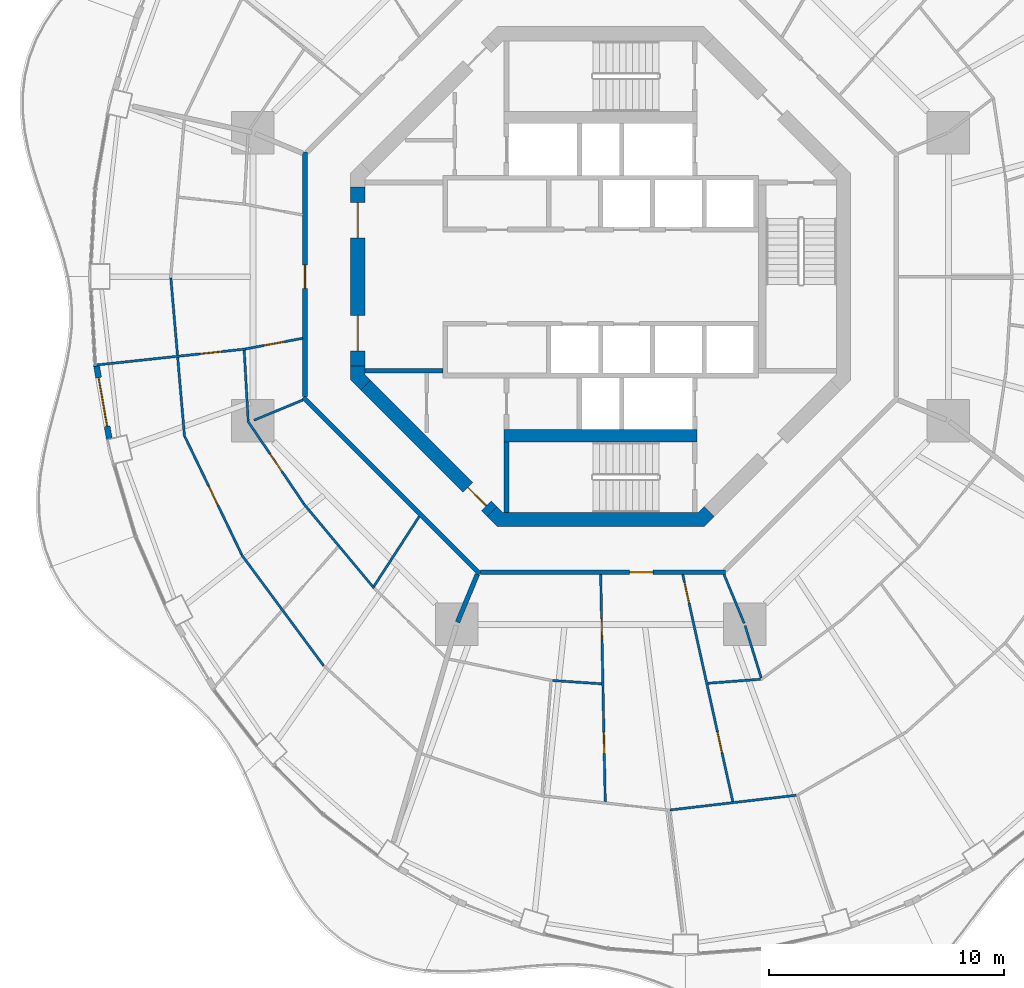
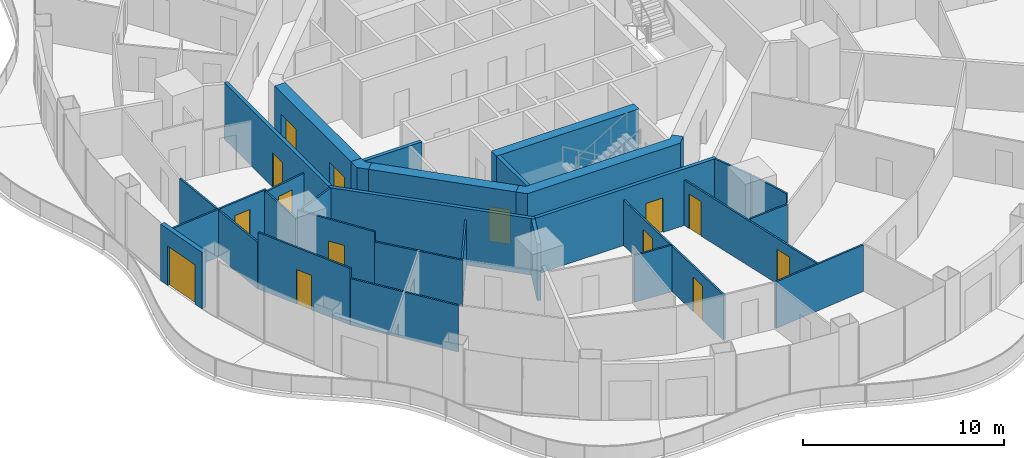
# One storey, part 11 of 19: 29 walls, 14 doors, 14 openings.
"""IFC4 building model written with IfcOpenShell, lengths in metres."""

from ifc_helpers import new_model, si_unit, direction, frame, frame_2d, origin, place, context, subcontext, project, spatial, polyline, rectangle, outline, extrude, material, layer, layer_set, type_object, element, fill, save


model = new_model("IFC4")

# Units and contexts
model_context = context("Model", 3, precision=1e-05, world=origin(), true_north=direction((0.0, 1.0)))
body_context = subcontext(model_context, "Body", "Model", "MODEL_VIEW")
ifc_project = project(units=[si_unit("LENGTHUNIT", "METRE"), si_unit("AREAUNIT", "SQUARE_METRE"), si_unit("VOLUMEUNIT", "CUBIC_METRE"), si_unit("PLANEANGLEUNIT", "RADIAN"), si_unit("MASSUNIT", "GRAM", prefix="KILO")], contexts=[model_context])

# Site, building, storey
site_placement = place(None, origin())
site = spatial("IfcSite", under=ifc_project, at=site_placement, CompositionType="ELEMENT")
building_placement = place(site_placement, origin())
building = spatial("IfcBuilding", under=site, at=building_placement, Name="Nagisa Residences", CompositionType="ELEMENT")
storey_placement = place(building_placement, frame((0.0, 0.0, 184.39990234375)))
storey = spatial("IfcBuildingStorey", under=building, at=storey_placement, Name="L46", CompositionType="ELEMENT", Elevation=184.39990234375)

# Wall
ifc_material_1 = material(Name="Gypsum board on steel studs", Category="steel")
ifc_layer_1 = layer(ifc_material_1, 0.199951171875)
ifc_layer_set_1 = layer_set([ifc_layer_1], Name="Apartment compartment wall EI60 200")
wall_type_1 = type_object("IfcWallType", Name="Apartment compartment wall EI60 200", PredefinedType="PARTITIONING", material=ifc_layer_set_1)
wall_1_placement = place(storey_placement, frame((-5.24267578125, -12.6572265625, 0.0), z_axis=(0.0, 0.0, 1.0), x_axis=(-0.382707856524, -0.923869415315, 0.0)))
element("IfcWall", 1, at=wall_1_placement, inside=storey, type_object=wall_type_1, Name="wall:L46:u06", PredefinedType="PARTITIONING", context=body_context, shape_type="SweptSolid", body=[
    extrude(rectangle(XDim=2.2001953125, YDim=0.199951171875, at=frame_2d((1.10009765625, 0.0))), origin(), (0.0, 0.0, 1.0), 3.440185546875),
])

# Wall, opening, door
ifc_material_2 = material(Name="Gypsum board on steel studs", Category="steel")
ifc_layer_2 = layer(ifc_material_2, 0.199951171875)
ifc_layer_set_2 = layer_set([ifc_layer_2], Name="Apartment entry wall EI60 200")
wall_type_2 = type_object("IfcWallType", Name="Apartment entry wall EI60 200", PredefinedType="PARTITIONING", material=ifc_layer_set_2)
wall_2_placement = place(storey_placement, frame((-12.564697265625, 5.304443359375, 0.0), z_axis=(0.0, 0.0, 1.0), x_axis=(0.0, -1.0, 0.0)))
wall_2 = element("IfcWall", 2, at=wall_2_placement, inside=storey, type_object=wall_type_2, Name="wall:L46:u14", PredefinedType="PARTITIONING", context=body_context, shape_type="SweptSolid", body=[
    extrude(rectangle(XDim=10.408935546875, YDim=0.199951171875, at=frame_2d((5.20458984375, 0.0))), origin(), (0.0, 0.0, 1.0), 3.440185546875),
])
opening_1_placement = place(wall_2_placement, frame((4.804443359375, 0.0, 0.0)))
opening_1 = element("IfcOpeningElement", 3, at=opening_1_placement, cuts=wall_2, Name="Opening L46-U09", PredefinedType="OPENING", context=body_context, shape_type="SweptSolid", body=[
    extrude(rectangle(XDim=1.0, YDim=2.10009765625, at=frame_2d((0.5, 1.050048828125))), frame((0.0, 0.10986328125, 0.0), z_axis=(0.0, -1.0, 0.0), x_axis=(1.0, 0.0, 0.0)), (0.0, 0.0, 1.0), 0.219970703125),
])
ifc_material_3 = material(Name="Timber fire door set", Category="wood")
door_type_1 = type_object("IfcDoorType", Name="Apartment entry door FD30S 1000x2100", OperationType="NOTDEFINED", PredefinedType="DOOR", material=ifc_material_3)
door_1_placement = place(opening_1_placement, frame((1.0, 0.0, 0.0), x_axis=(-1.0, 0.0, 0.0)))
door_1 = element("IfcDoor", 4, at=door_1_placement, inside=storey, type_object=door_type_1, Name="Entry door, Apartment 46B", OperationType="SINGLE_SWING_RIGHT", OverallHeight=2.10009765625, OverallWidth=1.0, PredefinedType="DOOR", context=body_context, shape_type="SweptSolid", body=[
    extrude(rectangle(XDim=1.0, YDim=2.10009765625, at=frame_2d((0.5, 1.050048828125))), frame((0.0, 0.02490234375, 0.0), z_axis=(0.0, -1.0, 0.0), x_axis=(1.0, 0.0, 0.0)), (0.0, 0.0, 1.0), 0.050048828125),
])
fill(opening_1, door_1)

# Wall
wall_3_placement = place(storey_placement, frame((-12.635498046875, -5.1337890625, 0.0), z_axis=(0.0, 0.0, 1.0), x_axis=(0.707106781187, -0.707106781187, 0.0)))
element("IfcWall", 5, at=wall_3_placement, inside=storey, type_object=wall_type_2, Name="wall:L46:u15", PredefinedType="PARTITIONING", context=body_context, shape_type="SweptSolid", body=[
    extrude(rectangle(XDim=10.609130859375, YDim=0.199951171875, at=frame_2d((5.3046875, 0.0))), origin(), (0.0, 0.0, 1.0), 3.440185546875),
])

# Wall, opening, door
wall_4_placement = place(storey_placement, frame((-5.1044921875, -12.564697265625, 0.0), z_axis=(0.0, 0.0, 1.0), x_axis=(1.0, 0.0, 0.0)))
wall_4 = element("IfcWall", 6, at=wall_4_placement, inside=storey, type_object=wall_type_2, Name="wall:L46:u16", PredefinedType="PARTITIONING", context=body_context, shape_type="SweptSolid", body=[
    extrude(rectangle(XDim=10.408935546875, YDim=0.199951171875, at=frame_2d((5.20458984375, 0.0))), origin(), (0.0, 0.0, 1.0), 3.440185546875),
])
opening_2_placement = place(wall_4_placement, frame((6.33935546875, 0.0, 0.0)))
opening_2 = element("IfcOpeningElement", 7, at=opening_2_placement, cuts=wall_4, Name="Opening L46-U20", PredefinedType="OPENING", context=body_context, shape_type="SweptSolid", body=[
    extrude(rectangle(XDim=1.0, YDim=2.10009765625, at=frame_2d((0.5, 1.050048828125))), frame((0.0, 0.10986328125, 0.0), z_axis=(0.0, -1.0, 0.0), x_axis=(1.0, 0.0, 0.0)), (0.0, 0.0, 1.0), 0.219970703125),
])
door_2_placement = place(opening_2_placement, frame((1.0, 0.0, 0.0), x_axis=(-1.0, 0.0, 0.0)))
door_2 = element("IfcDoor", 8, at=door_2_placement, inside=storey, type_object=door_type_1, Name="Entry door, Apartment 46C", OperationType="SINGLE_SWING_LEFT", OverallHeight=2.10009765625, OverallWidth=1.0, PredefinedType="DOOR", context=body_context, shape_type="SweptSolid", body=[
    extrude(rectangle(XDim=1.0, YDim=2.10009765625, at=frame_2d((0.5, 1.050048828125))), frame((0.0, 0.02490234375, 0.0), z_axis=(0.0, -1.0, 0.0), x_axis=(1.0, 0.0, 0.0)), (0.0, 0.0, 1.0), 0.050048828125),
])
fill(opening_2, door_2)

# Wall
ifc_material_4 = material(Name="Gypsum board on steel studs", Category="steel")
ifc_layer_3 = layer(ifc_material_4, 0.10009765625)
ifc_layer_set_3 = layer_set([ifc_layer_3], Name="Apartment partition 100")
wall_type_3 = type_object("IfcWallType", Name="Apartment partition 100", PredefinedType="PARTITIONING", material=ifc_layer_set_3)
wall_5_placement = place(storey_placement, frame((-18.270751953125, -0.0498046875, 0.0), z_axis=(0.0, 0.0, 1.0), x_axis=(0.086018199227, -0.996293565874, 0.0)))
element("IfcWall", 9, at=wall_5_placement, inside=storey, type_object=wall_type_3, Name="wall:L46:u59", PredefinedType="PARTITIONING", context=body_context, shape_type="SweptSolid", body=[
    extrude(rectangle(XDim=6.7890625, YDim=0.10009765625, at=frame_2d((3.39453125, 0.0))), origin(), (0.0, 0.0, 1.0), 2.837158203125),
])

# Wall, opening, door
wall_6_placement = place(storey_placement, frame((-12.6630859375, -2.62060546875, 0.0), z_axis=(0.0, 0.0, 1.0), x_axis=(-0.983176884312, -0.182655999505, 0.0)))
wall_6 = element("IfcWall", 10, at=wall_6_placement, inside=storey, type_object=wall_type_3, Name="wall:L46:u60", PredefinedType="PARTITIONING", context=body_context, shape_type="SweptSolid", body=[
    extrude(rectangle(XDim=2.4833984375, YDim=0.10009765625, at=frame_2d((1.24169921875, 0.0))), origin(), (0.0, 0.0, 1.0), 2.756103515625),
])
opening_3_placement = place(wall_6_placement, frame((0.791748046875, 0.0, 0.0)))
opening_3 = element("IfcOpeningElement", 11, at=opening_3_placement, cuts=wall_6, Name="Opening L46-U11", PredefinedType="OPENING", context=body_context, shape_type="SweptSolid", body=[
    extrude(rectangle(XDim=0.89990234375, YDim=2.10009765625, at=frame_2d((0.449951171875, 1.050048828125))), frame((0.0, 0.06005859375, 0.0), z_axis=(0.0, -1.0, 0.0), x_axis=(1.0, 0.0, 0.0)), (0.0, 0.0, 1.0), 0.1201171875),
])
ifc_material_5 = material(Name="Timber door set", Category="wood")
door_type_2 = type_object("IfcDoorType", Name="Apartment door 900x2100", OperationType="NOTDEFINED", PredefinedType="DOOR", material=ifc_material_5)
door_3_placement = place(opening_3_placement, origin())
door_3 = element("IfcDoor", 12, at=door_3_placement, inside=storey, type_object=door_type_2, Name="Door to family bathroom, Apartment 46B", OperationType="SINGLE_SWING_LEFT", OverallHeight=2.10009765625, OverallWidth=0.89990234375, PredefinedType="DOOR", context=body_context, shape_type="SweptSolid", body=[
    extrude(rectangle(XDim=0.89990234375, YDim=2.10009765625, at=frame_2d((0.449951171875, 1.050048828125))), frame((0.0, 0.02490234375, 0.0), z_axis=(0.0, -1.0, 0.0), x_axis=(1.0, 0.0, 0.0)), (0.0, 0.0, 1.0), 0.050048828125),
])
fill(opening_3, door_3)

wall_7_placement = place(storey_placement, frame((-15.104248046875, -3.077880859375, 0.0), z_axis=(0.0, 0.0, 1.0), x_axis=(-0.994316167803, -0.106467640365, 0.0)))
wall_7 = element("IfcWall", 13, at=wall_7_placement, inside=storey, type_object=wall_type_3, Name="wall:L46:u61", PredefinedType="PARTITIONING", context=body_context, shape_type="SweptSolid", body=[
    extrude(rectangle(XDim=6.450439453125, YDim=0.10009765625, at=frame_2d((3.22509765625, 0.0))), origin(), (0.0, 0.0, 1.0), 2.905029296875),
])
opening_4_placement = place(wall_7_placement, frame((1.0224609375, 0.0, 0.0)))
opening_4 = element("IfcOpeningElement", 14, at=opening_4_placement, cuts=wall_7, Name="Opening L46-U13", PredefinedType="OPENING", context=body_context, shape_type="SweptSolid", body=[
    extrude(rectangle(XDim=0.89990234375, YDim=2.10009765625, at=frame_2d((0.449951171875, 1.050048828125))), frame((0.0, 0.06005859375, 0.0), z_axis=(0.0, -1.0, 0.0), x_axis=(1.0, 0.0, 0.0)), (0.0, 0.0, 1.0), 0.1201171875),
])
door_4_placement = place(opening_4_placement, origin())
door_4 = element("IfcDoor", 15, at=door_4_placement, inside=storey, type_object=door_type_2, Name="Door to kitchen, Apartment 46B", OperationType="SINGLE_SWING_LEFT", OverallHeight=2.10009765625, OverallWidth=0.89990234375, PredefinedType="DOOR", context=body_context, shape_type="SweptSolid", body=[
    extrude(rectangle(XDim=0.89990234375, YDim=2.10009765625, at=frame_2d((0.449951171875, 1.050048828125))), frame((0.0, 0.02490234375, 0.0), z_axis=(0.0, -1.0, 0.0), x_axis=(1.0, 0.0, 0.0)), (0.0, 0.0, 1.0), 0.050048828125),
])
fill(opening_4, door_4)

# Walls
wall_8_placement = place(storey_placement, frame((-15.151123046875, -3.13330078125, 0.0), z_axis=(0.0, 0.0, 1.0), x_axis=(0.05637501378, -0.998409664327, 0.0)))
element("IfcWall", 16, at=wall_8_placement, inside=storey, type_object=wall_type_3, Name="wall:L46:u62", PredefinedType="PARTITIONING", context=body_context, shape_type="SweptSolid", body=[
    extrude(rectangle(XDim=2.988037109375, YDim=0.10009765625, at=frame_2d((1.494140625, 0.0))), origin(), (0.0, 0.0, 1.0), 2.837158203125),
])
wall_9_placement = place(storey_placement, frame((-12.6572265625, -5.24267578125, 0.0), z_axis=(0.0, 0.0, 1.0), x_axis=(-0.923864733477, -0.382719158442, 0.0)))
element("IfcWall", 17, at=wall_9_placement, inside=storey, type_object=wall_type_3, Name="wall:L46:u63", PredefinedType="PARTITIONING", context=body_context, shape_type="SweptSolid", body=[
    extrude(rectangle(XDim=2.25, YDim=0.10009765625, at=frame_2d((1.125, 0.0))), origin(), (0.0, 0.0, 1.0), 3.440185546875),
])

# Wall, opening, door
wall_10_placement = place(storey_placement, frame((-15.008056640625, -6.125244140625, 0.0), z_axis=(0.0, 0.0, 1.0), x_axis=(0.561073758086, -0.827765811076, 0.0)))
wall_10 = element("IfcWall", 18, at=wall_10_placement, inside=storey, type_object=wall_type_3, Name="wall:L46:u64", PredefinedType="PARTITIONING", context=body_context, shape_type="SweptSolid", body=[
    extrude(rectangle(XDim=4.258544921875, YDim=0.10009765625, at=frame_2d((2.12939453125, 0.0))), origin(), (0.0, 0.0, 1.0), 3.440185546875),
])
opening_5_placement = place(wall_10_placement, frame((1.704345703125, 0.0, 0.0)))
opening_5 = element("IfcOpeningElement", 19, at=opening_5_placement, cuts=wall_10, Name="Opening L46-U18", PredefinedType="OPENING", context=body_context, shape_type="SweptSolid", body=[
    extrude(rectangle(XDim=0.89990234375, YDim=2.10009765625, at=frame_2d((0.449951171875, 1.050048828125))), frame((0.0, 0.06005859375, 0.0), z_axis=(0.0, -1.0, 0.0), x_axis=(1.0, 0.0, 0.0)), (0.0, 0.0, 1.0), 0.1201171875),
])
door_5_placement = place(opening_5_placement, origin())
door_5 = element("IfcDoor", 20, at=door_5_placement, inside=storey, type_object=door_type_2, Name="Door to store, Apartment 46B", OperationType="SINGLE_SWING_RIGHT", OverallHeight=2.10009765625, OverallWidth=0.89990234375, PredefinedType="DOOR", context=body_context, shape_type="SweptSolid", body=[
    extrude(rectangle(XDim=0.89990234375, YDim=2.10009765625, at=frame_2d((0.449951171875, 1.050048828125))), frame((0.0, 0.02490234375, 0.0), z_axis=(0.0, -1.0, 0.0), x_axis=(1.0, 0.0, 0.0)), (0.0, 0.0, 1.0), 0.050048828125),
])
fill(opening_5, door_5)

wall_11_placement = place(storey_placement, frame((-17.669189453125, -6.80908203125, 0.0), z_axis=(0.0, 0.0, 1.0), x_axis=(0.434040130629, -0.900893536997, 0.0)))
wall_11 = element("IfcWall", 21, at=wall_11_placement, inside=storey, type_object=wall_type_3, Name="wall:L46:u65", PredefinedType="PARTITIONING", context=body_context, shape_type="SweptSolid", body=[
    extrude(rectangle(XDim=5.557861328125, YDim=0.10009765625, at=frame_2d((2.77880859375, 0.0))), origin(), (0.0, 0.0, 1.0), 3.440185546875),
])
opening_6_placement = place(wall_11_placement, frame((2.3291015625, 0.0, 0.0)))
opening_6 = element("IfcOpeningElement", 22, at=opening_6_placement, cuts=wall_11, Name="Opening L46-U16", PredefinedType="OPENING", context=body_context, shape_type="SweptSolid", body=[
    extrude(rectangle(XDim=0.89990234375, YDim=2.10009765625, at=frame_2d((0.449951171875, 1.050048828125))), frame((0.0, 0.06005859375, 0.0), z_axis=(0.0, -1.0, 0.0), x_axis=(1.0, 0.0, 0.0)), (0.0, 0.0, 1.0), 0.1201171875),
])
door_6_placement = place(opening_6_placement, frame((0.89990234375, 0.0, 0.0), x_axis=(-1.0, 0.0, 0.0)))
door_6 = element("IfcDoor", 23, at=door_6_placement, inside=storey, type_object=door_type_2, Name="Door to family room, Apartment 46B", OperationType="SINGLE_SWING_LEFT", OverallHeight=2.10009765625, OverallWidth=0.89990234375, PredefinedType="DOOR", context=body_context, shape_type="SweptSolid", body=[
    extrude(rectangle(XDim=0.89990234375, YDim=2.10009765625, at=frame_2d((0.449951171875, 1.050048828125))), frame((0.0, 0.02490234375, 0.0), z_axis=(0.0, -1.0, 0.0), x_axis=(1.0, 0.0, 0.0)), (0.0, 0.0, 1.0), 0.050048828125),
])
fill(opening_6, door_6)

# Walls
wall_12_placement = place(storey_placement, frame((-12.62255859375, -9.6533203125, 0.0), z_axis=(0.0, 0.0, 1.0), x_axis=(0.640297481347, -0.768127030758, 0.0)))
element("IfcWall", 24, at=wall_12_placement, inside=storey, type_object=wall_type_3, Name="wall:L46:u66", PredefinedType="PARTITIONING", context=body_context, shape_type="SweptSolid", body=[
    extrude(rectangle(XDim=4.671630859375, YDim=0.10009765625, at=frame_2d((2.3359375, 0.0))), origin(), (0.0, 0.0, 1.0), 2.837158203125),
])
wall_13_placement = place(storey_placement, frame((-15.264892578125, -11.821044921875, 0.0), z_axis=(0.0, 0.0, 1.0), x_axis=(0.594711348772, -0.803939308432, 0.0)))
element("IfcWall", 25, at=wall_13_placement, inside=storey, type_object=wall_type_3, Name="wall:L46:u67", PredefinedType="PARTITIONING", context=body_context, shape_type="SweptSolid", body=[
    extrude(rectangle(XDim=5.87158203125, YDim=0.10009765625, at=frame_2d((2.935791015625, 0.0))), origin(), (0.0, 0.0, 1.0), 2.837158203125),
])
wall_14_placement = place(storey_placement, frame((-7.71240234375, -10.1953125, 0.0), z_axis=(0.0, 0.0, 1.0), x_axis=(-0.544170086001, -0.838974920663, 0.0)))
element("IfcWall", 26, at=wall_14_placement, inside=storey, type_object=wall_type_3, Name="wall:L46:u69", PredefinedType="PARTITIONING", context=body_context, shape_type="SweptSolid", body=[
    extrude(rectangle(XDim=3.535400390625, YDim=0.10009765625, at=frame_2d((1.767578125, 0.0))), origin(), (0.0, 0.0, 1.0), 2.756103515625),
])
wall_15_placement = place(storey_placement, frame((-2.0546875, -17.166015625, 0.0), z_axis=(0.0, 0.0, 1.0), x_axis=(0.997756833447, -0.06694252243, 0.0)))
element("IfcWall", 27, at=wall_15_placement, inside=storey, type_object=wall_type_3, Name="wall:L46:u75", PredefinedType="PARTITIONING", context=body_context, shape_type="SweptSolid", body=[
    extrude(rectangle(XDim=2.104248046875, YDim=0.10009765625, at=frame_2d((1.05224609375, 0.0))), origin(), (0.0, 0.0, 1.0), 2.837158203125),
])

# Wall, openings, doors
wall_16_placement = place(storey_placement, frame((0.001953125, -12.664794921875, 0.0), z_axis=(0.0, 0.0, 1.0), x_axis=(0.019992969345, -0.999800120613, 0.0)))
wall_16 = element("IfcWall", 28, at=wall_16_placement, inside=storey, type_object=wall_type_3, Name="wall:L46:u77", PredefinedType="PARTITIONING", context=body_context, shape_type="SweptSolid", body=[
    extrude(rectangle(XDim=9.6591796875, YDim=0.10009765625, at=frame_2d((4.82958984375, 0.0))), origin(), (0.0, 0.0, 1.0), 2.756103515625),
])
opening_7_placement = place(wall_16_placement, frame((1.873291015625, 0.0, 0.0)))
opening_7 = element("IfcOpeningElement", 29, at=opening_7_placement, cuts=wall_16, Name="Opening L46-U21", PredefinedType="OPENING", context=body_context, shape_type="SweptSolid", body=[
    extrude(rectangle(XDim=0.89990234375, YDim=2.10009765625, at=frame_2d((0.449951171875, 1.050048828125))), frame((0.0, 0.06005859375, 0.0), z_axis=(0.0, -1.0, 0.0), x_axis=(1.0, 0.0, 0.0)), (0.0, 0.0, 1.0), 0.1201171875),
])
opening_8_placement = place(wall_16_placement, frame((6.702880859375, 0.0, 0.0)))
opening_8 = element("IfcOpeningElement", 30, at=opening_8_placement, cuts=wall_16, Name="Opening L46-U24", PredefinedType="OPENING", context=body_context, shape_type="SweptSolid", body=[
    extrude(rectangle(XDim=0.89990234375, YDim=2.10009765625, at=frame_2d((0.449951171875, 1.050048828125))), frame((0.0, 0.06005859375, 0.0), z_axis=(0.0, -1.0, 0.0), x_axis=(1.0, 0.0, 0.0)), (0.0, 0.0, 1.0), 0.1201171875),
])
door_7_placement = place(opening_7_placement, frame((0.89990234375, 0.0, 0.0), x_axis=(-1.0, 0.0, 0.0)))
door_7 = element("IfcDoor", 31, at=door_7_placement, inside=storey, type_object=door_type_2, Name="Door to laundry, Apartment 46C", OperationType="SINGLE_SWING_RIGHT", OverallHeight=2.10009765625, OverallWidth=0.89990234375, PredefinedType="DOOR", context=body_context, shape_type="SweptSolid", body=[
    extrude(rectangle(XDim=0.89990234375, YDim=2.10009765625, at=frame_2d((0.449951171875, 1.050048828125))), frame((0.0, 0.02490234375, 0.0), z_axis=(0.0, -1.0, 0.0), x_axis=(1.0, 0.0, 0.0)), (0.0, 0.0, 1.0), 0.050048828125),
])
fill(opening_7, door_7)
door_8_placement = place(opening_8_placement, frame((0.89990234375, 0.0, 0.0), x_axis=(-1.0, 0.0, 0.0)))
door_8 = element("IfcDoor", 32, at=door_8_placement, inside=storey, type_object=door_type_2, Name="Door to family bathroom, Apartment 46C", OperationType="SINGLE_SWING_LEFT", OverallHeight=2.10009765625, OverallWidth=0.89990234375, PredefinedType="DOOR", context=body_context, shape_type="SweptSolid", body=[
    extrude(rectangle(XDim=0.89990234375, YDim=2.10009765625, at=frame_2d((0.449951171875, 1.050048828125))), frame((0.0, 0.02490234375, 0.0), z_axis=(0.0, -1.0, 0.0), x_axis=(1.0, 0.0, 0.0)), (0.0, 0.0, 1.0), 0.050048828125),
])
fill(opening_8, door_8)

# Wall
wall_17_placement = place(storey_placement, frame((2.94091796875, -22.67138671875, 0.0), z_axis=(0.0, 0.0, 1.0), x_axis=(0.993245806382, 0.1160291692, 0.0)))
element("IfcWall", 33, at=wall_17_placement, inside=storey, type_object=wall_type_3, Name="wall:L46:u79", PredefinedType="PARTITIONING", context=body_context, shape_type="SweptSolid", body=[
    extrude(rectangle(XDim=5.40771484375, YDim=0.10009765625, at=frame_2d((2.703857421875, 0.0))), origin(), (0.0, 0.0, 1.0), 2.837158203125),
])

# Wall, openings, doors
wall_18_placement = place(storey_placement, frame((3.4912109375, -12.662353515625, 0.0), z_axis=(0.0, 0.0, 1.0), x_axis=(0.215082442833, -0.976595895335, 0.0)))
wall_18 = element("IfcWall", 34, at=wall_18_placement, inside=storey, type_object=wall_type_3, Name="wall:L46:u80", PredefinedType="PARTITIONING", context=body_context, shape_type="SweptSolid", body=[
    extrude(rectangle(XDim=9.877685546875, YDim=0.10009765625, at=frame_2d((4.93896484375, 0.0))), origin(), (0.0, 0.0, 1.0), 2.756103515625),
])
opening_9_placement = place(wall_18_placement, frame((0.35009765625, 0.0, 0.0)))
opening_9 = element("IfcOpeningElement", 35, at=opening_9_placement, cuts=wall_18, Name="Opening L46-U22", PredefinedType="OPENING", context=body_context, shape_type="SweptSolid", body=[
    extrude(rectangle(XDim=0.89990234375, YDim=2.10009765625, at=frame_2d((0.449951171875, 1.050048828125))), frame((0.0, 0.06005859375, 0.0), z_axis=(0.0, -1.0, 0.0), x_axis=(1.0, 0.0, 0.0)), (0.0, 0.0, 1.0), 0.1201171875),
])
opening_10_placement = place(wall_18_placement, frame((6.861083984375, 0.0, 0.0)))
opening_10 = element("IfcOpeningElement", 36, at=opening_10_placement, cuts=wall_18, Name="Opening L46-U25", PredefinedType="OPENING", context=body_context, shape_type="SweptSolid", body=[
    extrude(rectangle(XDim=0.89990234375, YDim=2.10009765625, at=frame_2d((0.449951171875, 1.050048828125))), frame((0.0, 0.06005859375, 0.0), z_axis=(0.0, -1.0, 0.0), x_axis=(1.0, 0.0, 0.0)), (0.0, 0.0, 1.0), 0.1201171875),
])
door_9_placement = place(opening_9_placement, origin())
door_9 = element("IfcDoor", 37, at=door_9_placement, inside=storey, type_object=door_type_2, Name="Door to family bathroom, Apartment 46C", OperationType="SINGLE_SWING_RIGHT", OverallHeight=2.10009765625, OverallWidth=0.89990234375, PredefinedType="DOOR", context=body_context, shape_type="SweptSolid", body=[
    extrude(rectangle(XDim=0.89990234375, YDim=2.10009765625, at=frame_2d((0.449951171875, 1.050048828125))), frame((0.0, 0.02490234375, 0.0), z_axis=(0.0, -1.0, 0.0), x_axis=(1.0, 0.0, 0.0)), (0.0, 0.0, 1.0), 0.050048828125),
])
fill(opening_9, door_9)
door_10_placement = place(opening_10_placement, origin())
door_10 = element("IfcDoor", 38, at=door_10_placement, inside=storey, type_object=door_type_2, Name="Door to family room, Apartment 46C", OperationType="SINGLE_SWING_LEFT", OverallHeight=2.10009765625, OverallWidth=0.89990234375, PredefinedType="DOOR", context=body_context, shape_type="SweptSolid", body=[
    extrude(rectangle(XDim=0.89990234375, YDim=2.10009765625, at=frame_2d((0.449951171875, 1.050048828125))), frame((0.0, 0.02490234375, 0.0), z_axis=(0.0, -1.0, 0.0), x_axis=(1.0, 0.0, 0.0)), (0.0, 0.0, 1.0), 0.050048828125),
])
fill(opening_10, door_10)

# Walls
wall_19_placement = place(storey_placement, frame((4.567626953125, -17.28369140625, 0.0), z_axis=(0.0, 0.0, 1.0), x_axis=(0.997076339393, 0.076411867029, 0.0)))
element("IfcWall", 39, at=wall_19_placement, inside=storey, type_object=wall_type_3, Name="wall:L46:u81", PredefinedType="PARTITIONING", context=body_context, shape_type="SweptSolid", body=[
    extrude(rectangle(XDim=2.230224609375, YDim=0.10009765625, at=frame_2d((1.115234375, 0.0))), origin(), (0.0, 0.0, 1.0), 2.837158203125),
])
wall_20_placement = place(storey_placement, frame((5.24267578125, -12.6572265625, 0.0), z_axis=(0.0, 0.0, 1.0), x_axis=(0.382719158442, -0.923864733477, 0.0)))
element("IfcWall", 40, at=wall_20_placement, inside=storey, type_object=wall_type_3, Name="wall:L46:u82", PredefinedType="PARTITIONING", context=body_context, shape_type="SweptSolid", body=[
    extrude(rectangle(XDim=2.25, YDim=0.10009765625, at=frame_2d((1.125, 0.0))), origin(), (0.0, 0.0, 1.0), 3.440185546875),
])
wall_21_placement = place(storey_placement, frame((6.1376953125, -14.829833984375, 0.0), z_axis=(0.0, 0.0, 1.0), x_axis=(0.29476151767, -0.955570849127, 0.0)))
element("IfcWall", 41, at=wall_21_placement, inside=storey, type_object=wall_type_3, Name="wall:L46:u83", PredefinedType="PARTITIONING", context=body_context, shape_type="SweptSolid", body=[
    extrude(rectangle(XDim=2.335693359375, YDim=0.10009765625, at=frame_2d((1.16796875, 0.0))), origin(), (0.0, 0.0, 1.0), 3.440185546875),
])

# Wall, opening, door
ifc_material_6 = material(Name="Precast concrete C40/50", Category="concrete")
ifc_layer_4 = layer(ifc_material_6, 0.25)
ifc_layer_set_4 = layer_set([ifc_layer_4], Name="BALCONY DOOR WALL 250")
wall_type_4 = type_object("IfcWallType", Name="BALCONY DOOR WALL 250", PredefinedType="SOLIDWALL", material=ifc_layer_set_4)
wall_22_placement = place(storey_placement, frame((-20.8818359375, -6.91015625, 0.0), z_axis=(0.0, 0.0, 1.0), x_axis=(-0.172223552479, 0.98505789067, 0.0)))
wall_22 = element("IfcWall", 42, at=wall_22_placement, inside=storey, type_object=wall_type_4, Name="wall:L46:bay25", PredefinedType="SOLIDWALL", context=body_context, shape_type="SweptSolid", body=[
    extrude(rectangle(XDim=3.2109375, YDim=0.25, at=frame_2d((1.60546875, 0.0))), origin(), (0.0, 0.0, 1.0), 3.440185546875),
])
opening_11_placement = place(wall_22_placement, frame((0.555419921875, 0.0, 0.0)))
opening_11 = element("IfcOpeningElement", 43, at=opening_11_placement, cuts=wall_22, Name="Opening BD-L46-09", PredefinedType="OPENING", context=body_context, shape_type="SweptSolid", body=[
    extrude(rectangle(XDim=2.10009765625, YDim=2.39990234375, at=frame_2d((1.050048828125, 1.199951171875))), frame((0.0, 0.135009765625, 0.0), z_axis=(0.0, -1.0, 0.0), x_axis=(1.0, 0.0, 0.0)), (0.0, 0.0, 1.0), 0.27001953125),
])
ifc_material_7 = material(Name="Aluminium and clear glass", Category="aluminium")
door_type_3 = type_object("IfcDoorType", Name="BALCONY SLIDING DOOR 2100x2400", OperationType="SLIDING_TO_LEFT", PredefinedType="DOOR", material=ifc_material_7)
door_11_placement = place(opening_11_placement, origin())
door_11 = element("IfcDoor", 44, at=door_11_placement, inside=storey, type_object=door_type_3, Name="door:L46:bay25", OperationType="SLIDING_TO_LEFT", OverallHeight=2.39990234375, OverallWidth=2.10009765625, PredefinedType="DOOR", context=body_context, shape_type="SweptSolid", body=[
    extrude(rectangle(XDim=2.10009765625, YDim=2.39990234375, at=frame_2d((1.050048828125, 1.199951171875))), frame((0.0, 0.02490234375, 0.0), z_axis=(0.0, -1.0, 0.0), x_axis=(1.0, 0.0, 0.0)), (0.0, 0.0, 1.0), 0.050048828125),
])
fill(opening_11, door_11)

# Wall
ifc_material_8 = material(Name="Gypsum board on steel studs", Category="steel")
ifc_layer_5 = layer(ifc_material_8, 0.199951171875)
ifc_layer_set_5 = layer_set([ifc_layer_5], Name="Core partition 200")
wall_type_5 = type_object("IfcWallType", Name="Core partition 200", PredefinedType="PARTITIONING", material=ifc_layer_set_5)
wall_23_placement = place(storey_placement, frame((-10.024658203125, -4.0, 0.0), z_axis=(0.0, 0.0, 1.0), x_axis=(1.0, 0.0, 0.0)))
element("IfcWall", 45, at=wall_23_placement, inside=storey, type_object=wall_type_5, Name="wall:L46:PSW", PredefinedType="PARTITIONING", context=body_context, shape_type="SweptSolid", body=[
    extrude(rectangle(XDim=3.32470703125, YDim=0.199951171875, at=frame_2d((1.662353515625, 0.0))), origin(), (0.0, 0.0, 1.0), 3.440185546875),
])

# Wall, openings, doors
ifc_material_9 = material(Name="Concrete C60", Category="concrete")
ifc_layer_6 = layer(ifc_material_9, 0.60009765625)
ifc_layer_set_6 = layer_set([ifc_layer_6], Name="Core shear wall 600")
wall_type_6 = type_object("IfcWallType", Name="Core shear wall 600", PredefinedType="SHEAR", material=ifc_layer_set_6)
wall_24_placement = place(storey_placement, frame((-10.32470703125, 3.80078125, 0.0), z_axis=(0.0, 0.0, 1.0), x_axis=(0.0, -1.0, 0.0)))
wall_24 = element("IfcWall", 46, at=wall_24_placement, inside=storey, type_object=wall_type_6, Name="wall:L46:core:flat4", PredefinedType="SHEAR", context=body_context, shape_type="SweptSolid", body=[
    extrude(rectangle(XDim=7.6015625, YDim=0.60009765625, at=frame_2d((3.80078125, 0.0))), origin(), (0.0, 0.0, 1.0), 3.440185546875),
])
opening_12_placement = place(wall_24_placement, frame((0.65087890625, 0.0, 0.0)))
opening_12 = element("IfcOpeningElement", 47, at=opening_12_placement, cuts=wall_24, Name="Opening L46-C20", PredefinedType="OPENING", context=body_context, shape_type="SweptSolid", body=[
    extrude(rectangle(XDim=1.5, YDim=2.10009765625, at=frame_2d((0.75, 1.050048828125))), frame((0.0, 0.31005859375, 0.0), z_axis=(0.0, -1.0, 0.0), x_axis=(1.0, 0.0, 0.0)), (0.0, 0.0, 1.0), 0.6201171875),
])
opening_13_placement = place(wall_24_placement, frame((5.450927734375, 0.0, 0.0)))
opening_13 = element("IfcOpeningElement", 48, at=opening_13_placement, cuts=wall_24, Name="Opening L46-C21", PredefinedType="OPENING", context=body_context, shape_type="SweptSolid", body=[
    extrude(rectangle(XDim=1.5, YDim=2.10009765625, at=frame_2d((0.75, 1.050048828125))), frame((0.0, 0.31005859375, 0.0), z_axis=(0.0, -1.0, 0.0), x_axis=(1.0, 0.0, 0.0)), (0.0, 0.0, 1.0), 0.6201171875),
])
ifc_material_10 = material(Name="Steel fire door", Category="steel")
door_type_4 = type_object("IfcDoorType", Name="Fire door EI60 1500x2100 double door single swing", OperationType="DOUBLE_DOOR_SINGLE_SWING", PredefinedType="DOOR", material=ifc_material_10)
door_12_placement = place(opening_12_placement, origin())
door_12 = element("IfcDoor", 49, at=door_12_placement, inside=storey, type_object=door_type_4, Name="Lift lobby door L46 1", OperationType="DOUBLE_DOOR_SINGLE_SWING", OverallHeight=2.10009765625, OverallWidth=1.5, PredefinedType="DOOR", context=body_context, shape_type="SweptSolid", body=[
    extrude(rectangle(XDim=1.5, YDim=2.10009765625, at=frame_2d((0.75, 1.050048828125))), frame((0.0, 0.02490234375, 0.0), z_axis=(0.0, -1.0, 0.0), x_axis=(1.0, 0.0, 0.0)), (0.0, 0.0, 1.0), 0.050048828125),
])
fill(opening_12, door_12)
door_13_placement = place(opening_13_placement, origin())
door_13 = element("IfcDoor", 50, at=door_13_placement, inside=storey, type_object=door_type_4, Name="Lift lobby door L46 2", OperationType="DOUBLE_DOOR_SINGLE_SWING", OverallHeight=2.10009765625, OverallWidth=1.5, PredefinedType="DOOR", context=body_context, shape_type="SweptSolid", body=[
    extrude(rectangle(XDim=1.5, YDim=2.10009765625, at=frame_2d((0.75, 1.050048828125))), frame((0.0, 0.02490234375, 0.0), z_axis=(0.0, -1.0, 0.0), x_axis=(1.0, 0.0, 0.0)), (0.0, 0.0, 1.0), 0.050048828125),
])
fill(opening_13, door_13)

# Wall, opening, door
wall_25_placement = place(storey_placement, frame((-9.98828125, -4.613037109375, 0.0), z_axis=(0.0, 0.0, 1.0), x_axis=(0.707106781187, -0.707106781187, 0.0)))
wall_25 = element("IfcWall", 51, at=wall_25_placement, inside=storey, type_object=wall_type_6, Name="wall:L46:core:flat5", PredefinedType="SHEAR", context=body_context, shape_type="SweptSolid", body=[
    extrude(rectangle(XDim=7.601806640625, YDim=0.60009765625, at=frame_2d((3.80078125, 0.0))), origin(), (0.0, 0.0, 1.0), 3.440185546875),
])
opening_14_placement = place(wall_25_placement, frame((6.15087890625, 0.0, 0.0)))
opening_14 = element("IfcOpeningElement", 52, at=opening_14_placement, cuts=wall_25, Name="Opening L46-C23", PredefinedType="OPENING", context=body_context, shape_type="SweptSolid", body=[
    extrude(rectangle(XDim=1.10009765625, YDim=2.10009765625, at=frame_2d((0.550048828125, 1.050048828125))), frame((0.0, 0.31005859375, 0.0), z_axis=(0.0, -1.0, 0.0), x_axis=(1.0, 0.0, 0.0)), (0.0, 0.0, 1.0), 0.6201171875),
])
ifc_material_11 = material(Name="Steel fire door", Category="steel")
door_type_5 = type_object("IfcDoorType", Name="Fire door EI60 1100x2100 single swing", OperationType="NOTDEFINED", PredefinedType="DOOR", material=ifc_material_11)
door_14_placement = place(opening_14_placement, origin())
door_14 = element("IfcDoor", 53, at=door_14_placement, inside=storey, type_object=door_type_5, Name="Housekeeping lobby door L46", OperationType="SINGLE_SWING_RIGHT", OverallHeight=2.10009765625, OverallWidth=1.10009765625, PredefinedType="DOOR", context=body_context, shape_type="SweptSolid", body=[
    extrude(rectangle(XDim=1.10009765625, YDim=2.10009765625, at=frame_2d((0.550048828125, 1.050048828125))), frame((0.0, 0.02490234375, 0.0), z_axis=(0.0, -1.0, 0.0), x_axis=(1.0, 0.0, 0.0)), (0.0, 0.0, 1.0), 0.050048828125),
])
fill(opening_14, door_14)

# Walls
wall_26_placement = place(storey_placement, origin())
element("IfcWall", 54, at=wall_26_placement, inside=storey, type_object=wall_type_6, Name="wall:L46:core:pier4", PredefinedType="SHEAR", context=body_context, shape_type="SweptSolid", body=[
    extrude(outline(polyline([(-10.62451171875, -3.80078125), (-10.024658203125, -3.80078125), (-10.024658203125, -4.15234375), (-9.776123046875, -4.40087890625), (-10.200439453125, -4.8251953125), (-10.62451171875, -4.40087890625), (-10.62451171875, -3.80078125)])), origin(), (0.0, 0.0, 1.0), 3.440185546875),
])
wall_27_placement = place(storey_placement, origin())
element("IfcWall", 55, at=wall_27_placement, inside=storey, type_object=wall_type_6, Name="wall:L46:core:flat6", PredefinedType="SHEAR", context=body_context, shape_type="SweptSolid", body=[
    extrude(outline(polyline([(-4.15234375, -10.024658203125), (4.15234375, -10.024658203125), (4.40087890625, -9.776123046875), (4.8251953125, -10.200439453125), (4.40087890625, -10.62451171875), (-4.40087890625, -10.62451171875), (-4.8251953125, -10.200439453125), (-4.40087890625, -9.776123046875), (-4.15234375, -10.024658203125)])), origin(), (0.0, 0.0, 1.0), 3.440185546875),
])
ifc_material_12 = material(Name="Concrete C60", Category="concrete")
ifc_layer_7 = layer(ifc_material_12, 0.199951171875)
ifc_layer_set_7 = layer_set([ifc_layer_7], Name="Stair enclosure wall 200")
wall_type_7 = type_object("IfcWallType", Name="Stair enclosure wall 200", PredefinedType="SOLIDWALL", material=ifc_layer_set_7)
wall_28_placement = place(storey_placement, origin())
element("IfcWall", 56, at=wall_28_placement, inside=storey, type_object=wall_type_7, Name="wall:L46:SS_w", PredefinedType="SOLIDWALL", context=body_context, shape_type="SweptSolid", body=[
    extrude(outline(polyline([(-3.89990234375, -10.024658203125), (-4.10009765625, -10.024658203125), (-4.10009765625, -7.024658203125), (-3.89990234375, -7.024658203125), (-3.89990234375, -10.024658203125)])), origin(), (0.0, 0.0, 1.0), 3.440185546875),
])
wall_29_placement = place(storey_placement, origin())
element("IfcWall", 57, at=wall_29_placement, inside=storey, type_object=wall_type_7, Name="wall:L46:SS_n", PredefinedType="SOLIDWALL", context=body_context, shape_type="SweptSolid", body=[
    extrude(outline(polyline([(4.10009765625, -7.024658203125), (-4.10009765625, -7.024658203125), (-4.10009765625, -6.5), (4.10009765625, -6.5), (4.10009765625, -7.024658203125)])), origin(), (0.0, 0.0, 1.0), 3.440185546875),
])

save(model, "model.ifc")
